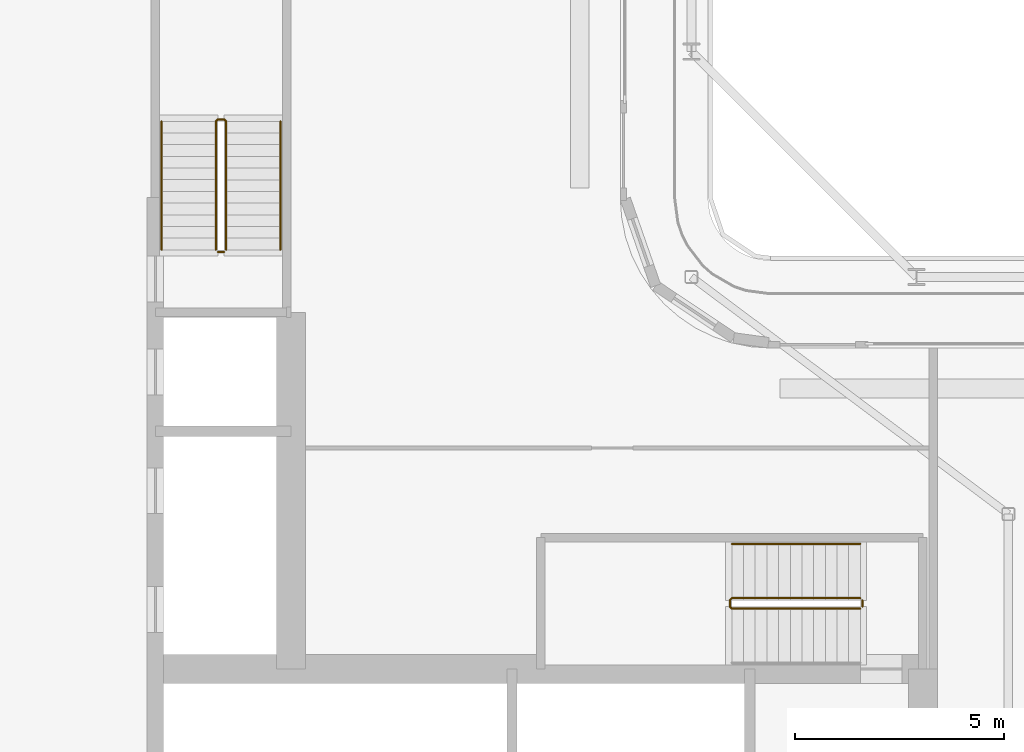
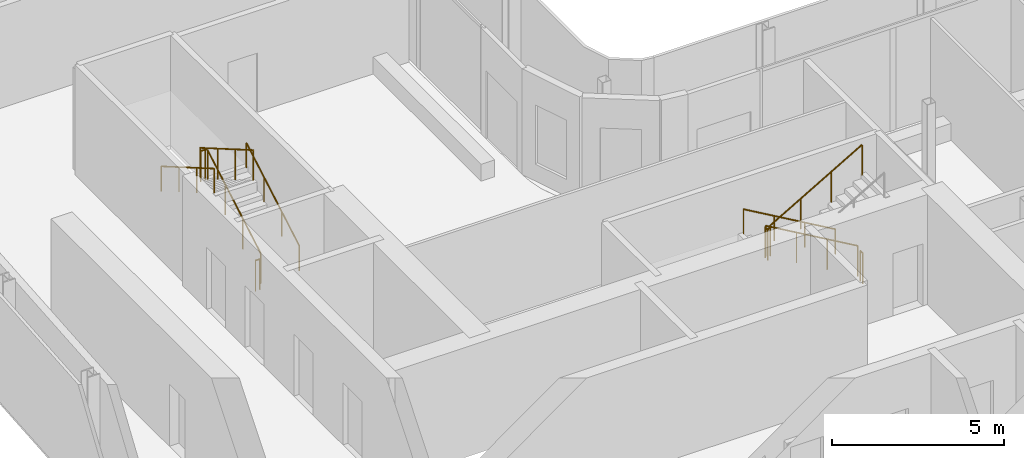
# One storey, part 16 of 21: 7 railings.
"""IFC4 building model written with IfcOpenShell, lengths in metres."""

from ifc_helpers import new_model, si_unit, direction, frame, origin, origin_2d, place, context, subcontext, project, spatial, circle, extrude, material, type_object, element, save


model = new_model("IFC4")

# Units and contexts
model_context = context("Model", 3, precision=1e-05, world=origin(), true_north=direction((0.0, 1.0)))
body_context = subcontext(model_context, "Body", "Model", "MODEL_VIEW")
ifc_project = project(units=[si_unit("LENGTHUNIT", "METRE"), si_unit("AREAUNIT", "SQUARE_METRE"), si_unit("VOLUMEUNIT", "CUBIC_METRE"), si_unit("PLANEANGLEUNIT", "RADIAN"), si_unit("MASSUNIT", "GRAM", prefix="KILO")], contexts=[model_context])

# Site, building, storey
site_placement = place(None, origin())
site = spatial("IfcSite", under=ifc_project, at=site_placement, CompositionType="ELEMENT")
building_placement = place(site_placement, origin())
building = spatial("IfcBuilding", under=site, at=building_placement, Name="Kheshtan School and Residences Tower", CompositionType="ELEMENT")
storey_placement = place(building_placement, frame((0.0, 0.0, 220.10009765625)))
storey = spatial("IfcBuildingStorey", under=building, at=storey_placement, Name="L51", CompositionType="ELEMENT", Elevation=220.10009765625)

# Railings
ifc_material_1 = material(Name="Stainless steel balustrade", Category="steel")
railing_type_1 = type_object("IfcRailingType", Name="Stair guard 1100", PredefinedType="GUARDRAIL", material=ifc_material_1)
railing_1_placement = place(storey_placement, frame((51.64990234375, 37.89990234375, 0.162353515625)))
element("IfcRailing", 1, at=railing_1_placement, inside=storey, type_object=railing_type_1, Name="L51 ST1 stair guard 1", PredefinedType="GUARDRAIL", context=body_context, shape_type="SweptSolid", body=[
    extrude(circle(Radius=0.02392578125, at=origin_2d()), frame((0.0, 0.0, 1.076171875), z_axis=(-0.864873446163, 0.0, 0.501989962173), x_axis=(0.0, -1.0, 0.0)), (0.0, 0.0, 1.0), 3.56103515625),
    extrude(circle(Radius=0.02392578125, at=origin_2d()), frame((-3.079833984375, 0.0, 2.86376953125), z_axis=(-0.708833529934, -0.705375805398, 0.0), x_axis=(0.705375805398, -0.708833529934, 0.0)), (0.0, 0.0, 1.0), 0.070556640625),
    extrude(circle(Radius=0.02392578125, at=origin_2d()), frame((-3.1298828125, -0.0498046875, 2.86376953125), z_axis=(0.0, -1.0, 0.0), x_axis=(1.0, 0.0, 0.0)), (0.0, 0.0, 1.0), 0.150146484375),
    extrude(circle(Radius=0.02392578125, at=origin_2d()), frame((-3.1298828125, -0.199951171875, 2.86376953125), z_axis=(0.282583949758, -0.282583949758, 0.916674763849), x_axis=(0.707106781187, 0.707106781187, 0.0)), (0.0, 0.0, 1.0), 0.177001953125),
    extrude(circle(Radius=0.02392578125, at=origin_2d()), frame((-3.079833984375, -0.25, 3.02587890625), z_axis=(0.864873446163, 0.0, 0.501989962173), x_axis=(0.0, 1.0, 0.0)), (0.0, 0.0, 1.0), 3.56103515625),
    extrude(circle(Radius=0.02099609375, at=origin_2d()), origin(), (0.0, 0.0, 1.0), 1.052001953125),
    extrude(circle(Radius=0.02099609375, at=origin_2d()), frame((-1.026611328125, 0.0, 0.595947265625)), (0.0, 0.0, 1.0), 1.052001953125),
    extrude(circle(Radius=0.02099609375, at=origin_2d()), frame((-2.05322265625, 0.0, 1.191650390625)), (0.0, 0.0, 1.0), 1.052001953125),
    extrude(circle(Radius=0.02099609375, at=origin_2d()), frame((-3.079833984375, 0.0, 1.78759765625)), (0.0, 0.0, 1.0), 1.052001953125),
    extrude(circle(Radius=0.02099609375, at=origin_2d()), frame((-3.1298828125, -0.0498046875, 1.78759765625)), (0.0, 0.0, 1.0), 1.052001953125),
    extrude(circle(Radius=0.02099609375, at=origin_2d()), frame((-3.1298828125, -0.199951171875, 1.78759765625)), (0.0, 0.0, 1.0), 1.052001953125),
    extrude(circle(Radius=0.02099609375, at=origin_2d()), frame((-3.079833984375, -0.25, 1.949951171875)), (0.0, 0.0, 1.0), 1.052001953125),
    extrude(circle(Radius=0.02099609375, at=origin_2d()), frame((-2.05322265625, -0.25, 2.5458984375)), (0.0, 0.0, 1.0), 1.052001953125),
    extrude(circle(Radius=0.02099609375, at=origin_2d()), frame((-1.026611328125, -0.25, 3.1416015625)), (0.0, 0.0, 1.0), 1.052001953125),
    extrude(circle(Radius=0.02099609375, at=origin_2d()), frame((0.0, -0.25, 3.737548828125)), (0.0, 0.0, 1.0), 1.052001953125),
])
railing_2_placement = place(storey_placement, frame((51.699951171875, 37.85009765625, 0.0)))
element("IfcRailing", 2, at=railing_2_placement, inside=storey, type_object=railing_type_1, Name="L51 ST1 stair guard 2", PredefinedType="GUARDRAIL", context=body_context, shape_type="SweptSolid", body=[
    extrude(circle(Radius=0.02392578125, at=origin_2d()), frame((0.0, 0.0, 1.076171875), z_axis=(0.0, -1.0, 0.0), x_axis=(1.0, 0.0, 0.0)), (0.0, 0.0, 1.0), 0.150146484375),
    extrude(circle(Radius=0.02099609375, at=origin_2d()), origin(), (0.0, 0.0, 1.0), 1.052001953125),
    extrude(circle(Radius=0.02099609375, at=origin_2d()), frame((0.0, -0.150146484375, 0.0)), (0.0, 0.0, 1.0), 1.052001953125),
])
railing_3_placement = place(storey_placement, frame((36.449951171875, 46.25, 0.162353515625)))
element("IfcRailing", 3, at=railing_3_placement, inside=storey, type_object=railing_type_1, Name="L51 ST2 stair guard 1", PredefinedType="GUARDRAIL", context=body_context, shape_type="SweptSolid", body=[
    extrude(circle(Radius=0.02392578125, at=origin_2d()), frame((0.0, 0.0, 1.076171875), z_axis=(0.0, 0.864890721111, 0.501960198159), x_axis=(-1.0, 0.0, 0.0)), (0.0, 0.0, 1.0), 3.561279296875),
    extrude(circle(Radius=0.02392578125, at=origin_2d()), frame((0.0, 3.080078125, 2.86376953125), z_axis=(-0.708833529934, 0.705375805398, 0.0), x_axis=(-0.705375805398, -0.708833529934, 0.0)), (0.0, 0.0, 1.0), 0.070556640625),
    extrude(circle(Radius=0.02392578125, at=origin_2d()), frame((-0.050048828125, 3.1298828125, 2.86376953125), z_axis=(-1.0, 0.0, 0.0), x_axis=(0.0, -1.0, 0.0)), (0.0, 0.0, 1.0), 0.14990234375),
    extrude(circle(Radius=0.02392578125, at=origin_2d()), frame((-0.199951171875, 3.1298828125, 2.86376953125), z_axis=(-0.282693820306, -0.281314826061, 0.917031173188), x_axis=(0.705375805398, -0.708833529934, 0.0)), (0.0, 0.0, 1.0), 0.177001953125),
    extrude(circle(Radius=0.02392578125, at=origin_2d()), frame((-0.25, 3.080078125, 3.02587890625), z_axis=(0.0, -0.864890721111, 0.501960198159), x_axis=(1.0, 0.0, 0.0)), (0.0, 0.0, 1.0), 3.561279296875),
    extrude(circle(Radius=0.02099609375, at=origin_2d()), origin(), (0.0, 0.0, 1.0), 1.052001953125),
    extrude(circle(Radius=0.02099609375, at=origin_2d()), frame((0.0, 1.026611328125, 0.595947265625)), (0.0, 0.0, 1.0), 1.052001953125),
    extrude(circle(Radius=0.02099609375, at=origin_2d()), frame((0.0, 2.053466796875, 1.191650390625)), (0.0, 0.0, 1.0), 1.052001953125),
    extrude(circle(Radius=0.02099609375, at=origin_2d()), frame((0.0, 3.080078125, 1.78759765625)), (0.0, 0.0, 1.0), 1.052001953125),
    extrude(circle(Radius=0.02099609375, at=origin_2d()), frame((-0.050048828125, 3.1298828125, 1.78759765625)), (0.0, 0.0, 1.0), 1.052001953125),
    extrude(circle(Radius=0.02099609375, at=origin_2d()), frame((-0.199951171875, 3.1298828125, 1.78759765625)), (0.0, 0.0, 1.0), 1.052001953125),
    extrude(circle(Radius=0.02099609375, at=origin_2d()), frame((-0.25, 3.080078125, 1.949951171875)), (0.0, 0.0, 1.0), 1.052001953125),
    extrude(circle(Radius=0.02099609375, at=origin_2d()), frame((-0.25, 2.053466796875, 2.5458984375)), (0.0, 0.0, 1.0), 1.052001953125),
    extrude(circle(Radius=0.02099609375, at=origin_2d()), frame((-0.25, 1.026611328125, 3.1416015625)), (0.0, 0.0, 1.0), 1.052001953125),
    extrude(circle(Radius=0.02099609375, at=origin_2d()), frame((-0.25, 0.0, 3.737548828125)), (0.0, 0.0, 1.0), 1.052001953125),
])
railing_4_placement = place(storey_placement, frame((36.39990234375, 46.199951171875, 0.0)))
element("IfcRailing", 4, at=railing_4_placement, inside=storey, type_object=railing_type_1, Name="L51 ST2 stair guard 2", PredefinedType="GUARDRAIL", context=body_context, shape_type="SweptSolid", body=[
    extrude(circle(Radius=0.02392578125, at=origin_2d()), frame((0.0, 0.0, 1.076171875), z_axis=(-1.0, 0.0, 0.0), x_axis=(0.0, -1.0, 0.0)), (0.0, 0.0, 1.0), 0.14990234375),
    extrude(circle(Radius=0.02099609375, at=origin_2d()), origin(), (0.0, 0.0, 1.0), 1.052001953125),
    extrude(circle(Radius=0.02099609375, at=origin_2d()), frame((-0.14990234375, 0.0, 0.0)), (0.0, 0.0, 1.0), 1.052001953125),
])
ifc_material_2 = material(Name="Stainless steel handrail", Category="steel")
railing_type_2 = type_object("IfcRailingType", Name="Stair handrail 900", PredefinedType="HANDRAIL", material=ifc_material_2)
railing_5_placement = place(storey_placement, frame((51.64990234375, 39.199951171875, 0.162353515625)))
element("IfcRailing", 5, at=railing_5_placement, inside=storey, type_object=railing_type_2, Name="L51 ST1 stair handrail 1", PredefinedType="HANDRAIL", context=body_context, shape_type="SweptSolid", body=[
    extrude(circle(Radius=0.02392578125, at=origin_2d()), frame((0.0, 0.0, 0.8759765625), z_axis=(-0.864873446163, 0.0, 0.501989962173), x_axis=(0.0, -1.0, 0.0)), (0.0, 0.0, 1.0), 3.56103515625),
    extrude(circle(Radius=0.02099609375, at=origin_2d()), origin(), (0.0, 0.0, 1.0), 0.851806640625),
    extrude(circle(Radius=0.02099609375, at=origin_2d()), frame((-1.026611328125, 0.0, 0.595947265625)), (0.0, 0.0, 1.0), 0.851806640625),
    extrude(circle(Radius=0.02099609375, at=origin_2d()), frame((-2.05322265625, 0.0, 1.191650390625)), (0.0, 0.0, 1.0), 0.851806640625),
    extrude(circle(Radius=0.02099609375, at=origin_2d()), frame((-3.079833984375, 0.0, 1.78759765625)), (0.0, 0.0, 1.0), 0.851806640625),
])
railing_6_placement = place(storey_placement, frame((37.75, 46.25, 0.162353515625)))
element("IfcRailing", 6, at=railing_6_placement, inside=storey, type_object=railing_type_2, Name="L51 ST2 stair handrail 1", PredefinedType="HANDRAIL", context=body_context, shape_type="SweptSolid", body=[
    extrude(circle(Radius=0.02392578125, at=origin_2d()), frame((0.0, 0.0, 0.8759765625), z_axis=(0.0, 0.864890721111, 0.501960198159), x_axis=(-1.0, 0.0, 0.0)), (0.0, 0.0, 1.0), 3.561279296875),
    extrude(circle(Radius=0.02099609375, at=origin_2d()), origin(), (0.0, 0.0, 1.0), 0.851806640625),
    extrude(circle(Radius=0.02099609375, at=origin_2d()), frame((0.0, 1.026611328125, 0.595947265625)), (0.0, 0.0, 1.0), 0.851806640625),
    extrude(circle(Radius=0.02099609375, at=origin_2d()), frame((0.0, 2.053466796875, 1.191650390625)), (0.0, 0.0, 1.0), 0.851806640625),
    extrude(circle(Radius=0.02099609375, at=origin_2d()), frame((0.0, 3.080078125, 1.78759765625)), (0.0, 0.0, 1.0), 0.851806640625),
])
railing_7_placement = place(storey_placement, frame((34.89990234375, 49.330078125, 2.1123046875)))
element("IfcRailing", 7, at=railing_7_placement, inside=storey, type_object=railing_type_2, Name="L51 ST2 stair handrail 2", PredefinedType="HANDRAIL", context=body_context, shape_type="SweptSolid", body=[
    extrude(circle(Radius=0.02392578125, at=origin_2d()), frame((0.0, 0.0, 0.8759765625), z_axis=(0.0, -0.864890721111, 0.501960198159), x_axis=(1.0, 0.0, 0.0)), (0.0, 0.0, 1.0), 3.561279296875),
    extrude(circle(Radius=0.02099609375, at=origin_2d()), origin(), (0.0, 0.0, 1.0), 0.851806640625),
    extrude(circle(Radius=0.02099609375, at=origin_2d()), frame((0.0, -1.026611328125, 0.595947265625)), (0.0, 0.0, 1.0), 0.851806640625),
    extrude(circle(Radius=0.02099609375, at=origin_2d()), frame((0.0, -2.053466796875, 1.191650390625)), (0.0, 0.0, 1.0), 0.851806640625),
    extrude(circle(Radius=0.02099609375, at=origin_2d()), frame((0.0, -3.080078125, 1.78759765625)), (0.0, 0.0, 1.0), 0.851806640625),
])

save(model, "model.ifc")
